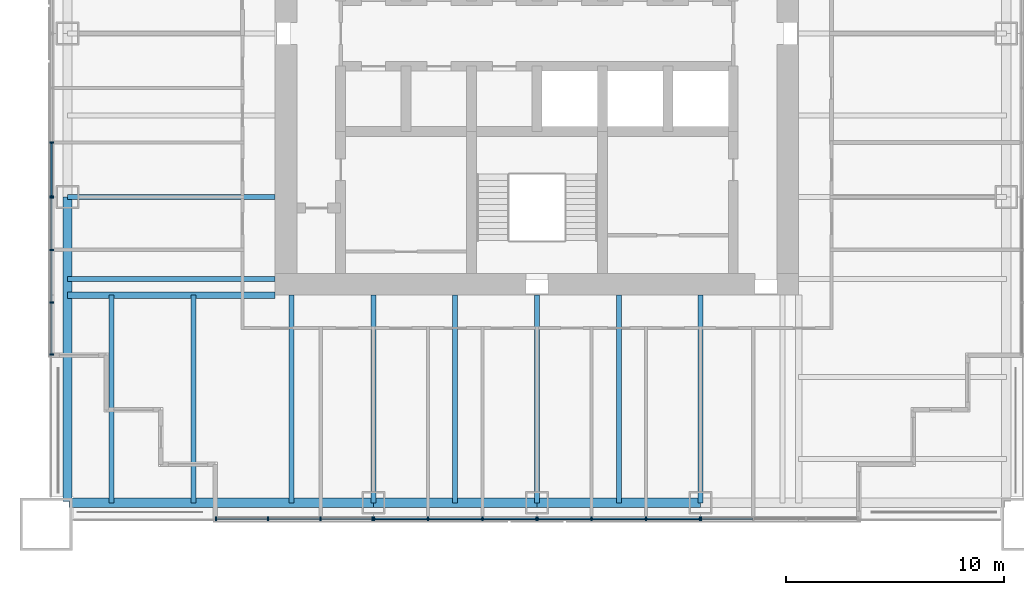
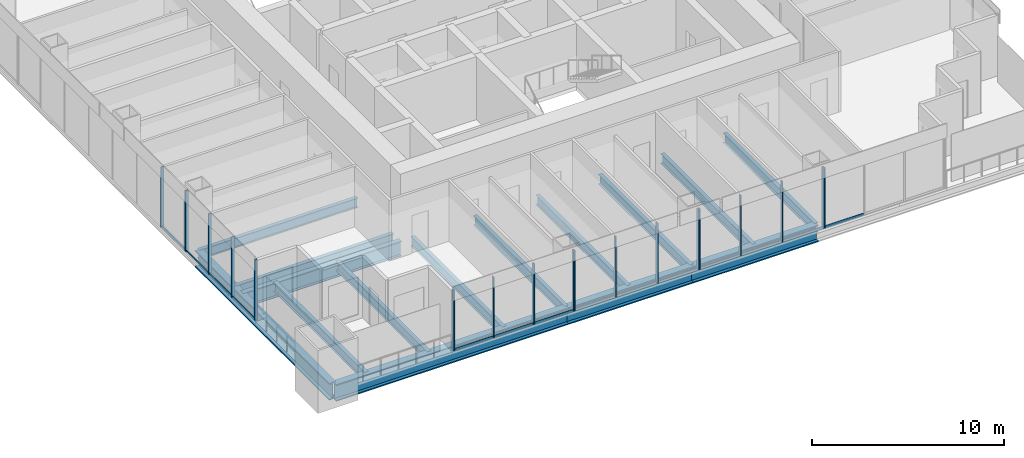
# One storey, part 2 of 14: 33 members, 15 beams, 6 elements without a shape of their own.
"""IFC4 building model written with IfcOpenShell, lengths in metres."""

from ifc_helpers import new_model, si_unit, direction, frame, origin, origin_2d, place, context, subcontext, project, spatial, rectangle, i_section, extrude, material, material_profile, profile_set, type_object, element, aggregate, save


model = new_model("IFC4")

# Units and contexts
model_context = context("Model", 3, precision=1e-05, world=origin(), true_north=direction((0.0, 1.0)))
body_context = subcontext(model_context, "Body", "Model", "MODEL_VIEW")
ifc_project = project(units=[si_unit("LENGTHUNIT", "METRE"), si_unit("AREAUNIT", "SQUARE_METRE"), si_unit("VOLUMEUNIT", "CUBIC_METRE"), si_unit("PLANEANGLEUNIT", "RADIAN"), si_unit("MASSUNIT", "GRAM", prefix="KILO")], contexts=[model_context])

# Site, building, storey
site_placement = place(None, origin())
site = spatial("IfcSite", under=ifc_project, at=site_placement, CompositionType="ELEMENT")
building_placement = place(site_placement, origin())
building = spatial("IfcBuilding", under=site, at=building_placement, Name="Tarangal Relay Tower", CompositionType="ELEMENT")
storey_placement = place(building_placement, frame((0.0, 0.0, 229.89990234375)))
storey = spatial("IfcBuildingStorey", under=building, at=storey_placement, Name="L49", CompositionType="ELEMENT", Elevation=229.89990234375)

# Beams
ifc_material_1 = material(Name="Steel ASTM A992", Category="steel")
ifc_material_profile_1 = material_profile(ifc_material_1, i_section(OverallWidth=0.227783203125, OverallDepth=0.60205078125, WebThickness=0.010498046875, FlangeThickness=0.014892578125, at=origin_2d()), Name="W24X68")
ifc_profile_set_1 = profile_set([ifc_material_profile_1], Name="Steel ASTM A992")
beam_type_1 = type_object("IfcBeamType", Name="Corner beam W24X68", PredefinedType="JOIST", material=ifc_profile_set_1)
for number, where, z_axis, x_axis, name in (
    (1, (-15.75, -12.0, -0.450927734375), (0.0, -1.0, 0.0), (1.0, 0.0, 0.0), "Corner beam CB11 S L49"),
    (2, (-19.5, -12.0, -0.450927734375), (0.0, -1.0, 0.0), (1.0, 0.0, 0.0), "Corner beam CB11 S L49"),
):
    element("IfcBeam", number, at=place(storey_placement, frame(where, z_axis=z_axis, x_axis=x_axis)), inside=storey, type_object=beam_type_1, Name=name, PredefinedType="JOIST", context=body_context, shape_type="SweptSolid", body=[
        extrude(i_section(OverallWidth=0.227783203125, OverallDepth=0.60205078125, WebThickness=0.010498046875, FlangeThickness=0.014892578125, at=origin_2d()), origin(), (0.0, 0.0, 1.0), 9.514892578125),
    ])
ifc_material_profile_2 = material_profile(ifc_material_1, i_section(OverallWidth=0.307373046875, OverallDepth=0.9423828125, WebThickness=0.022216796875, FlangeThickness=0.039794921875, at=origin_2d()), Name="W36X232")
ifc_profile_set_2 = profile_set([ifc_material_profile_2], Name="Steel ASTM A992")
beam_type_2 = type_object("IfcBeamType", Name="Corner girder W36X232", PredefinedType="BEAM", material=ifc_profile_set_2)
beam_placement = place(storey_placement, frame((-12.0, -12.0, -0.62109375), z_axis=(-1.0, 0.0, 0.0), x_axis=(0.0, -1.0, 0.0)))
element("IfcBeam", 3, at=beam_placement, inside=storey, type_object=beam_type_2, Name="Corner girder CG4 S L49", PredefinedType="BEAM", context=body_context, shape_type="SweptSolid", body=[
    extrude(i_section(OverallWidth=0.307373046875, OverallDepth=0.9423828125, WebThickness=0.022216796875, FlangeThickness=0.039794921875, at=origin_2d()), origin(), (0.0, 0.0, 1.0), 9.514892578125),
])
ifc_material_profile_3 = material_profile(ifc_material_1, i_section(OverallWidth=0.41650390625, OverallDepth=1.0693359375, WebThickness=0.0390625, FlangeThickness=0.070068359375, at=origin_2d()), Name="W40X503")
ifc_profile_set_3 = profile_set([ifc_material_profile_3], Name="Steel ASTM A992")
beam_type_3 = type_object("IfcBeamType", Name="Edge girder W40X503", PredefinedType="SPANDREL", material=ifc_profile_set_3)
for number, where, z_axis, x_axis, name in (
    (4, (7.5, -21.514892578125, -0.6845703125), (-1.0, 0.0, 0.0), (0.0, -1.0, 0.0), "Edge girder EG8 S L49"),
    (5, (0.0, -21.514892578125, -0.6845703125), (-1.0, 0.0, 0.0), (0.0, -1.0, 0.0), "Edge girder EG8 S L49"),
):
    element("IfcBeam", number, at=place(storey_placement, frame(where, z_axis=z_axis, x_axis=x_axis)), inside=storey, type_object=beam_type_3, Name=name, PredefinedType="SPANDREL", context=body_context, shape_type="SweptSolid", body=[
        extrude(i_section(OverallWidth=0.41650390625, OverallDepth=1.0693359375, WebThickness=0.0390625, FlangeThickness=0.070068359375, at=origin_2d()), origin(), (0.0, 0.0, 1.0), 7.5),
    ])
for number, where, z_axis, x_axis, name in (
    (6, (-7.5, -21.514892578125, -0.6845703125), (-1.0, 0.0, 0.0), (0.0, -1.0, 0.0), "Edge girder EG8 S L49"),
    (7, (-21.514892578125, -21.449951171875, -0.6845703125), (0.0, 1.0, 0.0), (-1.0, 0.0, 0.0), "Edge girder EG8 W L49"),
):
    element("IfcBeam", number, at=place(storey_placement, frame(where, z_axis=z_axis, x_axis=x_axis)), inside=storey, type_object=beam_type_3, Name=name, PredefinedType="SPANDREL", context=body_context, shape_type="SweptSolid", body=[
        extrude(i_section(OverallWidth=0.41650390625, OverallDepth=1.0693359375, WebThickness=0.0390625, FlangeThickness=0.070068359375, at=origin_2d()), origin(), (0.0, 0.0, 1.0), 13.949951171875),
    ])
ifc_material_profile_4 = material_profile(ifc_material_1, i_section(OverallWidth=0.22900390625, OverallDepth=0.612060546875, WebThickness=0.011962890625, FlangeThickness=0.01953125, at=origin_2d()), Name="W24X84")
ifc_profile_set_4 = profile_set([ifc_material_profile_4], Name="Steel ASTM A992")
beam_type_4 = type_object("IfcBeamType", Name="Floor beam W24X84", PredefinedType="BEAM", material=ifc_profile_set_4)
for number, where, z_axis, x_axis, name in (
    (8, (7.5, -12.0, -0.455810546875), (0.0, -1.0, 0.0), (1.0, 0.0, 0.0), "Floor beam RB12 S L49"),
    (9, (3.75, -12.0, -0.455810546875), (0.0, -1.0, 0.0), (1.0, 0.0, 0.0), "Floor beam RB12 S L49"),
    (10, (0.0, -12.0, -0.455810546875), (0.0, -1.0, 0.0), (1.0, 0.0, 0.0), "Floor beam RB12 S L49"),
    (11, (-3.75, -12.0, -0.455810546875), (0.0, -1.0, 0.0), (1.0, 0.0, 0.0), "Floor beam RB12 S L49"),
    (12, (-7.5, -12.0, -0.455810546875), (0.0, -1.0, 0.0), (1.0, 0.0, 0.0), "Floor beam RB12 S L49"),
    (13, (-11.25, -12.0, -0.455810546875), (0.0, -1.0, 0.0), (1.0, 0.0, 0.0), "Floor beam RB12 S L49"),
    (14, (-12.0, -11.25, -0.455810546875), (-1.0, 0.0, 0.0), (0.0, -1.0, 0.0), "Floor beam RB12 W L49"),
    (15, (-12.0, -7.5, -0.455810546875), (-1.0, 0.0, 0.0), (0.0, -1.0, 0.0), "Floor beam RB12 W L49"),
):
    element("IfcBeam", number, at=place(storey_placement, frame(where, z_axis=z_axis, x_axis=x_axis)), inside=storey, type_object=beam_type_4, Name=name, PredefinedType="BEAM", context=body_context, shape_type="SweptSolid", body=[
        extrude(i_section(OverallWidth=0.22900390625, OverallDepth=0.612060546875, WebThickness=0.011962890625, FlangeThickness=0.01953125, at=origin_2d()), origin(), (0.0, 0.0, 1.0), 9.514892578125),
    ])

# Curtain wall, member
ifc_material_2 = material(Name="Unitised curtain wall, dark glass and black aluminium", Category="aluminium")
curtain_wall_type_1 = type_object("IfcCurtainWallType", Name="Curtain wall CW-A", PredefinedType="USERDEFINED", material=ifc_material_2)
curtain_wall_1_placement = place(storey_placement, origin())
curtain_wall_1 = element("IfcCurtainWall", 16, at=curtain_wall_1_placement, inside=storey, type_object=curtain_wall_type_1, Name="Curtain wall CW-A S facade L49", ObjectType="UNITISED CURTAIN WALL", PredefinedType="USERDEFINED")
ifc_material_3 = material(Name="Black anodised aluminium mullion", Category="aluminium")
ifc_material_profile_5 = material_profile(ifc_material_3, rectangle(XDim=0.175048828125, YDim=0.06494140625, at=origin_2d()), Name="CW-AM 65X175")
ifc_profile_set_5 = profile_set([ifc_material_profile_5], Name="Black anodised aluminium mullion")
member_type_1 = type_object("IfcMemberType", Name="Mullion CW-A 65 x 175", PredefinedType="MULLION", material=ifc_profile_set_5)
member_1_placement = place(storey_placement, frame((7.532470703125, -22.25, 0.0), z_axis=(0.0, 0.0, 1.0), x_axis=(0.0, -1.0, 0.0)))
member_1 = element("IfcMember", 17, at=member_1_placement, type_object=member_type_1, Name="CW-A mullion 4", PredefinedType="MULLION", context=body_context, shape_type="SweptSolid", body=[
    extrude(rectangle(XDim=0.175048828125, YDim=0.06494140625, at=origin_2d()), origin(), (0.0, 0.0, 1.0), 3.85009765625),
])

# Curtain wall, members
curtain_wall_2_placement = place(storey_placement, origin())
curtain_wall_2 = element("IfcCurtainWall", 18, at=curtain_wall_2_placement, inside=storey, type_object=curtain_wall_type_1, Name="Curtain wall CW-A S facade L49", ObjectType="UNITISED CURTAIN WALL", PredefinedType="USERDEFINED")
member_2_placement = place(storey_placement, frame((-7.532470703125, -22.25, 0.0), z_axis=(0.0, 0.0, 1.0), x_axis=(0.0, -1.0, 0.0)))
member_2 = element("IfcMember", 19, at=member_2_placement, type_object=member_type_1, Name="CW-A mullion 1", PredefinedType="MULLION", context=body_context, shape_type="SweptSolid", body=[
    extrude(rectangle(XDim=0.175048828125, YDim=0.06494140625, at=origin_2d()), origin(), (0.0, 0.0, 1.0), 3.85009765625),
])
member_3_placement = place(storey_placement, frame((-9.916748046875, -22.25, 0.0), z_axis=(0.0, 0.0, 1.0), x_axis=(0.0, -1.0, 0.0)))
member_3 = element("IfcMember", 20, at=member_3_placement, type_object=member_type_1, Name="CW-A mullion 2", PredefinedType="MULLION", context=body_context, shape_type="SweptSolid", body=[
    extrude(rectangle(XDim=0.175048828125, YDim=0.06494140625, at=origin_2d()), origin(), (0.0, 0.0, 1.0), 3.85009765625),
])
member_4_placement = place(storey_placement, frame((-12.333251953125, -22.25, 0.0), z_axis=(0.0, 0.0, 1.0), x_axis=(0.0, -1.0, 0.0)))
member_4 = element("IfcMember", 21, at=member_4_placement, type_object=member_type_1, Name="CW-A mullion 3", PredefinedType="MULLION", context=body_context, shape_type="SweptSolid", body=[
    extrude(rectangle(XDim=0.175048828125, YDim=0.06494140625, at=origin_2d()), origin(), (0.0, 0.0, 1.0), 3.85009765625),
])
member_5_placement = place(storey_placement, frame((-14.717529296875, -22.25, 0.0), z_axis=(0.0, 0.0, 1.0), x_axis=(0.0, -1.0, 0.0)))
member_5 = element("IfcMember", 22, at=member_5_placement, type_object=member_type_1, Name="CW-A mullion 4", PredefinedType="MULLION", context=body_context, shape_type="SweptSolid", body=[
    extrude(rectangle(XDim=0.175048828125, YDim=0.06494140625, at=origin_2d()), origin(), (0.0, 0.0, 1.0), 3.85009765625),
])

curtain_wall_3_placement = place(storey_placement, origin())
curtain_wall_3 = element("IfcCurtainWall", 23, at=curtain_wall_3_placement, inside=storey, type_object=curtain_wall_type_1, Name="Curtain wall CW-A W facade L49", ObjectType="UNITISED CURTAIN WALL", PredefinedType="USERDEFINED")
member_6_placement = place(storey_placement, frame((-22.25, -14.717529296875, 0.0), z_axis=(0.0, 0.0, 1.0), x_axis=(-1.0, 0.0, 0.0)))
member_6 = element("IfcMember", 24, at=member_6_placement, type_object=member_type_1, Name="CW-A mullion 1", PredefinedType="MULLION", context=body_context, shape_type="SweptSolid", body=[
    extrude(rectangle(XDim=0.175048828125, YDim=0.06494140625, at=origin_2d()), origin(), (0.0, 0.0, 1.0), 3.85009765625),
])
member_7_placement = place(storey_placement, frame((-22.25, -12.333251953125, 0.0), z_axis=(0.0, 0.0, 1.0), x_axis=(-1.0, 0.0, 0.0)))
member_7 = element("IfcMember", 25, at=member_7_placement, type_object=member_type_1, Name="CW-A mullion 2", PredefinedType="MULLION", context=body_context, shape_type="SweptSolid", body=[
    extrude(rectangle(XDim=0.175048828125, YDim=0.06494140625, at=origin_2d()), origin(), (0.0, 0.0, 1.0), 3.85009765625),
])
member_8_placement = place(storey_placement, frame((-22.25, -9.916748046875, 0.0), z_axis=(0.0, 0.0, 1.0), x_axis=(-1.0, 0.0, 0.0)))
member_8 = element("IfcMember", 26, at=member_8_placement, type_object=member_type_1, Name="CW-A mullion 3", PredefinedType="MULLION", context=body_context, shape_type="SweptSolid", body=[
    extrude(rectangle(XDim=0.175048828125, YDim=0.06494140625, at=origin_2d()), origin(), (0.0, 0.0, 1.0), 3.85009765625),
])
member_9_placement = place(storey_placement, frame((-22.25, -7.532470703125, 0.0), z_axis=(0.0, 0.0, 1.0), x_axis=(-1.0, 0.0, 0.0)))
member_9 = element("IfcMember", 27, at=member_9_placement, type_object=member_type_1, Name="CW-A mullion 4", PredefinedType="MULLION", context=body_context, shape_type="SweptSolid", body=[
    extrude(rectangle(XDim=0.175048828125, YDim=0.06494140625, at=origin_2d()), origin(), (0.0, 0.0, 1.0), 3.85009765625),
])

ifc_material_4 = material(Name="Unitised curtain wall frame, black aluminium, with metal clad infill walls", Category="aluminium")
curtain_wall_type_2 = type_object("IfcCurtainWallType", Name="Curtain wall CW-AO", PredefinedType="USERDEFINED", material=ifc_material_4)
curtain_wall_4_placement = place(storey_placement, origin())
curtain_wall_4 = element("IfcCurtainWall", 28, at=curtain_wall_4_placement, inside=storey, type_object=curtain_wall_type_2, Name="Curtain wall CW-AO S facade L49", ObjectType="UNITISED CURTAIN WALL", PredefinedType="USERDEFINED")
ifc_material_profile_6 = material_profile(ifc_material_3, rectangle(XDim=0.175048828125, YDim=0.06494140625, at=origin_2d()), Name="CW-AOM 65X175")
ifc_profile_set_6 = profile_set([ifc_material_profile_6], Name="Black anodised aluminium mullion")
member_type_2 = type_object("IfcMemberType", Name="Mullion CW-AO 65 x 175", PredefinedType="MULLION", material=ifc_profile_set_6)
member_10_placement = place(storey_placement, frame((7.467529296875, -22.25, 0.0), z_axis=(0.0, 0.0, 1.0), x_axis=(0.0, -1.0, 0.0)))
member_10 = element("IfcMember", 29, at=member_10_placement, type_object=member_type_2, Name="CW-AO mullion 1", PredefinedType="MULLION", context=body_context, shape_type="SweptSolid", body=[
    extrude(rectangle(XDim=0.175048828125, YDim=0.06494140625, at=origin_2d()), origin(), (0.0, 0.0, 1.0), 3.85009765625),
])
member_11_placement = place(storey_placement, frame((5.0, -22.25, 0.0), z_axis=(0.0, 0.0, 1.0), x_axis=(0.0, -1.0, 0.0)))
member_11 = element("IfcMember", 30, at=member_11_placement, type_object=member_type_2, Name="CW-AO mullion 2", PredefinedType="MULLION", context=body_context, shape_type="SweptSolid", body=[
    extrude(rectangle(XDim=0.175048828125, YDim=0.06494140625, at=origin_2d()), origin(), (0.0, 0.0, 1.0), 3.85009765625),
])
member_12_placement = place(storey_placement, frame((2.5, -22.25, 0.0), z_axis=(0.0, 0.0, 1.0), x_axis=(0.0, -1.0, 0.0)))
member_12 = element("IfcMember", 31, at=member_12_placement, type_object=member_type_2, Name="CW-AO mullion 3", PredefinedType="MULLION", context=body_context, shape_type="SweptSolid", body=[
    extrude(rectangle(XDim=0.175048828125, YDim=0.06494140625, at=origin_2d()), origin(), (0.0, 0.0, 1.0), 3.85009765625),
])
member_13_placement = place(storey_placement, frame((0.032470703125, -22.25, 0.0), z_axis=(0.0, 0.0, 1.0), x_axis=(0.0, -1.0, 0.0)))
member_13 = element("IfcMember", 32, at=member_13_placement, type_object=member_type_2, Name="CW-AO mullion 4", PredefinedType="MULLION", context=body_context, shape_type="SweptSolid", body=[
    extrude(rectangle(XDim=0.175048828125, YDim=0.06494140625, at=origin_2d()), origin(), (0.0, 0.0, 1.0), 3.85009765625),
])

curtain_wall_5_placement = place(storey_placement, origin())
curtain_wall_5 = element("IfcCurtainWall", 33, at=curtain_wall_5_placement, inside=storey, type_object=curtain_wall_type_2, Name="Curtain wall CW-AO S facade L49", ObjectType="UNITISED CURTAIN WALL", PredefinedType="USERDEFINED")
member_14_placement = place(storey_placement, frame((-0.032470703125, -22.25, 0.0), z_axis=(0.0, 0.0, 1.0), x_axis=(0.0, -1.0, 0.0)))
member_14 = element("IfcMember", 34, at=member_14_placement, type_object=member_type_2, Name="CW-AO mullion 1", PredefinedType="MULLION", context=body_context, shape_type="SweptSolid", body=[
    extrude(rectangle(XDim=0.175048828125, YDim=0.06494140625, at=origin_2d()), origin(), (0.0, 0.0, 1.0), 3.85009765625),
])
member_15_placement = place(storey_placement, frame((-2.5, -22.25, 0.0), z_axis=(0.0, 0.0, 1.0), x_axis=(0.0, -1.0, 0.0)))
member_15 = element("IfcMember", 35, at=member_15_placement, type_object=member_type_2, Name="CW-AO mullion 2", PredefinedType="MULLION", context=body_context, shape_type="SweptSolid", body=[
    extrude(rectangle(XDim=0.175048828125, YDim=0.06494140625, at=origin_2d()), origin(), (0.0, 0.0, 1.0), 3.85009765625),
])
member_16_placement = place(storey_placement, frame((-5.0, -22.25, 0.0), z_axis=(0.0, 0.0, 1.0), x_axis=(0.0, -1.0, 0.0)))
member_16 = element("IfcMember", 36, at=member_16_placement, type_object=member_type_2, Name="CW-AO mullion 3", PredefinedType="MULLION", context=body_context, shape_type="SweptSolid", body=[
    extrude(rectangle(XDim=0.175048828125, YDim=0.06494140625, at=origin_2d()), origin(), (0.0, 0.0, 1.0), 3.85009765625),
])
member_17_placement = place(storey_placement, frame((-7.467529296875, -22.25, 0.0), z_axis=(0.0, 0.0, 1.0), x_axis=(0.0, -1.0, 0.0)))
member_17 = element("IfcMember", 37, at=member_17_placement, type_object=member_type_2, Name="CW-AO mullion 4", PredefinedType="MULLION", context=body_context, shape_type="SweptSolid", body=[
    extrude(rectangle(XDim=0.175048828125, YDim=0.06494140625, at=origin_2d()), origin(), (0.0, 0.0, 1.0), 3.85009765625),
])

curtain_wall_6_placement = place(storey_placement, origin())
curtain_wall_6 = element("IfcCurtainWall", 38, at=curtain_wall_6_placement, inside=storey, type_object=curtain_wall_type_2, Name="Curtain wall CW-AO W facade L49", ObjectType="UNITISED CURTAIN WALL", PredefinedType="USERDEFINED")
member_18_placement = place(storey_placement, frame((-22.25, -7.467529296875, 0.0), z_axis=(0.0, 0.0, 1.0), x_axis=(-1.0, 0.0, 0.0)))
member_18 = element("IfcMember", 39, at=member_18_placement, type_object=member_type_2, Name="CW-AO mullion 1", PredefinedType="MULLION", context=body_context, shape_type="SweptSolid", body=[
    extrude(rectangle(XDim=0.175048828125, YDim=0.06494140625, at=origin_2d()), origin(), (0.0, 0.0, 1.0), 3.85009765625),
])
member_19_placement = place(storey_placement, frame((-22.25, -5.0, 0.0), z_axis=(0.0, 0.0, 1.0), x_axis=(-1.0, 0.0, 0.0)))
member_19 = element("IfcMember", 40, at=member_19_placement, type_object=member_type_2, Name="CW-AO mullion 2", PredefinedType="MULLION", context=body_context, shape_type="SweptSolid", body=[
    extrude(rectangle(XDim=0.175048828125, YDim=0.06494140625, at=origin_2d()), origin(), (0.0, 0.0, 1.0), 3.85009765625),
])

# Member
ifc_material_5 = material(Name="Black anodised aluminium transom", Category="aluminium")
ifc_material_profile_7 = material_profile(ifc_material_5, rectangle(XDim=0.06494140625, YDim=0.14990234375, at=origin_2d()), Name="CW-AT 65X150")
ifc_profile_set_7 = profile_set([ifc_material_profile_7], Name="Black anodised aluminium transom")
member_type_3 = type_object("IfcMemberType", Name="Transom CW-A 65 x 150", PredefinedType="USERDEFINED", material=ifc_profile_set_7)
member_20_placement = place(storey_placement, frame((9.88427734375, -22.25, 0.03271484375), z_axis=(-1.0, 0.0, 0.0), x_axis=(0.0, -1.0, 0.0)))
member_20 = element("IfcMember", 41, at=member_20_placement, type_object=member_type_3, Name="CW-A transom 3.1", ObjectType="TRANSOM", PredefinedType="USERDEFINED", context=body_context, shape_type="SweptSolid", body=[
    extrude(rectangle(XDim=0.06494140625, YDim=0.14990234375, at=origin_2d()), origin(), (0.0, 0.0, 1.0), 2.3193359375),
])

aggregate(curtain_wall_1, [member_1, member_20])

member_21_placement = place(storey_placement, frame((-7.56494140625, -22.25, 0.03271484375), z_axis=(-1.0, 0.0, 0.0), x_axis=(0.0, -1.0, 0.0)))
member_21 = element("IfcMember", 42, at=member_21_placement, type_object=member_type_3, Name="CW-A transom 1.1", ObjectType="TRANSOM", PredefinedType="USERDEFINED", context=body_context, shape_type="SweptSolid", body=[
    extrude(rectangle(XDim=0.06494140625, YDim=0.14990234375, at=origin_2d()), origin(), (0.0, 0.0, 1.0), 2.3193359375),
])

member_22_placement = place(storey_placement, frame((-9.94921875, -22.25, 0.03271484375), z_axis=(-1.0, 0.0, 0.0), x_axis=(0.0, -1.0, 0.0)))
member_22 = element("IfcMember", 43, at=member_22_placement, type_object=member_type_3, Name="CW-A transom 2.1", ObjectType="TRANSOM", PredefinedType="USERDEFINED", context=body_context, shape_type="SweptSolid", body=[
    extrude(rectangle(XDim=0.06494140625, YDim=0.14990234375, at=origin_2d()), origin(), (0.0, 0.0, 1.0), 2.3515625),
])

member_23_placement = place(storey_placement, frame((-12.36572265625, -22.25, 0.03271484375), z_axis=(-1.0, 0.0, 0.0), x_axis=(0.0, -1.0, 0.0)))
member_23 = element("IfcMember", 44, at=member_23_placement, type_object=member_type_3, Name="CW-A transom 3.1", ObjectType="TRANSOM", PredefinedType="USERDEFINED", context=body_context, shape_type="SweptSolid", body=[
    extrude(rectangle(XDim=0.06494140625, YDim=0.14990234375, at=origin_2d()), origin(), (0.0, 0.0, 1.0), 2.3193359375),
])

aggregate(curtain_wall_2, [member_2, member_3, member_4, member_5, member_21, member_22, member_23])

member_24_placement = place(storey_placement, frame((-22.25, -14.68505859375, 0.03271484375), z_axis=(0.0, 1.0, 0.0), x_axis=(-1.0, 0.0, 0.0)))
member_24 = element("IfcMember", 45, at=member_24_placement, type_object=member_type_3, Name="CW-A transom 1.1", ObjectType="TRANSOM", PredefinedType="USERDEFINED", context=body_context, shape_type="SweptSolid", body=[
    extrude(rectangle(XDim=0.06494140625, YDim=0.14990234375, at=origin_2d()), origin(), (0.0, 0.0, 1.0), 2.3193359375),
])

member_25_placement = place(storey_placement, frame((-22.25, -12.30078125, 0.03271484375), z_axis=(0.0, 1.0, 0.0), x_axis=(-1.0, 0.0, 0.0)))
member_25 = element("IfcMember", 46, at=member_25_placement, type_object=member_type_3, Name="CW-A transom 2.1", ObjectType="TRANSOM", PredefinedType="USERDEFINED", context=body_context, shape_type="SweptSolid", body=[
    extrude(rectangle(XDim=0.06494140625, YDim=0.14990234375, at=origin_2d()), origin(), (0.0, 0.0, 1.0), 2.3515625),
])

member_26_placement = place(storey_placement, frame((-22.25, -9.88427734375, 0.03271484375), z_axis=(0.0, 1.0, 0.0), x_axis=(-1.0, 0.0, 0.0)))
member_26 = element("IfcMember", 47, at=member_26_placement, type_object=member_type_3, Name="CW-A transom 3.1", ObjectType="TRANSOM", PredefinedType="USERDEFINED", context=body_context, shape_type="SweptSolid", body=[
    extrude(rectangle(XDim=0.06494140625, YDim=0.14990234375, at=origin_2d()), origin(), (0.0, 0.0, 1.0), 2.3193359375),
])

aggregate(curtain_wall_3, [member_6, member_7, member_8, member_9, member_24, member_25, member_26])

ifc_material_profile_8 = material_profile(ifc_material_5, rectangle(XDim=0.06494140625, YDim=0.14990234375, at=origin_2d()), Name="CW-AOT 65X150")
ifc_profile_set_8 = profile_set([ifc_material_profile_8], Name="Black anodised aluminium transom")
member_type_4 = type_object("IfcMemberType", Name="Transom CW-AO 65 x 150", PredefinedType="USERDEFINED", material=ifc_profile_set_8)
member_27_placement = place(storey_placement, frame((7.43505859375, -22.25, 0.03271484375), z_axis=(-1.0, 0.0, 0.0), x_axis=(0.0, -1.0, 0.0)))
member_27 = element("IfcMember", 48, at=member_27_placement, type_object=member_type_4, Name="CW-AO transom 1.1", ObjectType="TRANSOM", PredefinedType="USERDEFINED", context=body_context, shape_type="SweptSolid", body=[
    extrude(rectangle(XDim=0.06494140625, YDim=0.14990234375, at=origin_2d()), origin(), (0.0, 0.0, 1.0), 2.402587890625),
])

member_28_placement = place(storey_placement, frame((4.967529296875, -22.25, 0.03271484375), z_axis=(-1.0, 0.0, 0.0), x_axis=(0.0, -1.0, 0.0)))
member_28 = element("IfcMember", 49, at=member_28_placement, type_object=member_type_4, Name="CW-AO transom 2.1", ObjectType="TRANSOM", PredefinedType="USERDEFINED", context=body_context, shape_type="SweptSolid", body=[
    extrude(rectangle(XDim=0.06494140625, YDim=0.14990234375, at=origin_2d()), origin(), (0.0, 0.0, 1.0), 2.43505859375),
])

member_29_placement = place(storey_placement, frame((2.467529296875, -22.25, 0.03271484375), z_axis=(-1.0, 0.0, 0.0), x_axis=(0.0, -1.0, 0.0)))
member_29 = element("IfcMember", 50, at=member_29_placement, type_object=member_type_4, Name="CW-AO transom 3.1", ObjectType="TRANSOM", PredefinedType="USERDEFINED", context=body_context, shape_type="SweptSolid", body=[
    extrude(rectangle(XDim=0.06494140625, YDim=0.14990234375, at=origin_2d()), origin(), (0.0, 0.0, 1.0), 2.402587890625),
])

aggregate(curtain_wall_4, [member_10, member_11, member_12, member_13, member_27, member_28, member_29])

member_30_placement = place(storey_placement, frame((-0.06494140625, -22.25, 0.03271484375), z_axis=(-1.0, 0.0, 0.0), x_axis=(0.0, -1.0, 0.0)))
member_30 = element("IfcMember", 51, at=member_30_placement, type_object=member_type_4, Name="CW-AO transom 1.1", ObjectType="TRANSOM", PredefinedType="USERDEFINED", context=body_context, shape_type="SweptSolid", body=[
    extrude(rectangle(XDim=0.06494140625, YDim=0.14990234375, at=origin_2d()), origin(), (0.0, 0.0, 1.0), 2.402587890625),
])

member_31_placement = place(storey_placement, frame((-2.532470703125, -22.25, 0.03271484375), z_axis=(-1.0, 0.0, 0.0), x_axis=(0.0, -1.0, 0.0)))
member_31 = element("IfcMember", 52, at=member_31_placement, type_object=member_type_4, Name="CW-AO transom 2.1", ObjectType="TRANSOM", PredefinedType="USERDEFINED", context=body_context, shape_type="SweptSolid", body=[
    extrude(rectangle(XDim=0.06494140625, YDim=0.14990234375, at=origin_2d()), origin(), (0.0, 0.0, 1.0), 2.43505859375),
])

member_32_placement = place(storey_placement, frame((-5.032470703125, -22.25, 0.03271484375), z_axis=(-1.0, 0.0, 0.0), x_axis=(0.0, -1.0, 0.0)))
member_32 = element("IfcMember", 53, at=member_32_placement, type_object=member_type_4, Name="CW-AO transom 3.1", ObjectType="TRANSOM", PredefinedType="USERDEFINED", context=body_context, shape_type="SweptSolid", body=[
    extrude(rectangle(XDim=0.06494140625, YDim=0.14990234375, at=origin_2d()), origin(), (0.0, 0.0, 1.0), 2.402587890625),
])

aggregate(curtain_wall_5, [member_14, member_15, member_16, member_17, member_30, member_31, member_32])

member_33_placement = place(storey_placement, frame((-22.25, -7.43505859375, 0.03271484375), z_axis=(0.0, 1.0, 0.0), x_axis=(-1.0, 0.0, 0.0)))
member_33 = element("IfcMember", 54, at=member_33_placement, type_object=member_type_4, Name="CW-AO transom 1.1", ObjectType="TRANSOM", PredefinedType="USERDEFINED", context=body_context, shape_type="SweptSolid", body=[
    extrude(rectangle(XDim=0.06494140625, YDim=0.14990234375, at=origin_2d()), origin(), (0.0, 0.0, 1.0), 2.402587890625),
])

aggregate(curtain_wall_6, [member_18, member_19, member_33])

save(model, "model.ifc")
